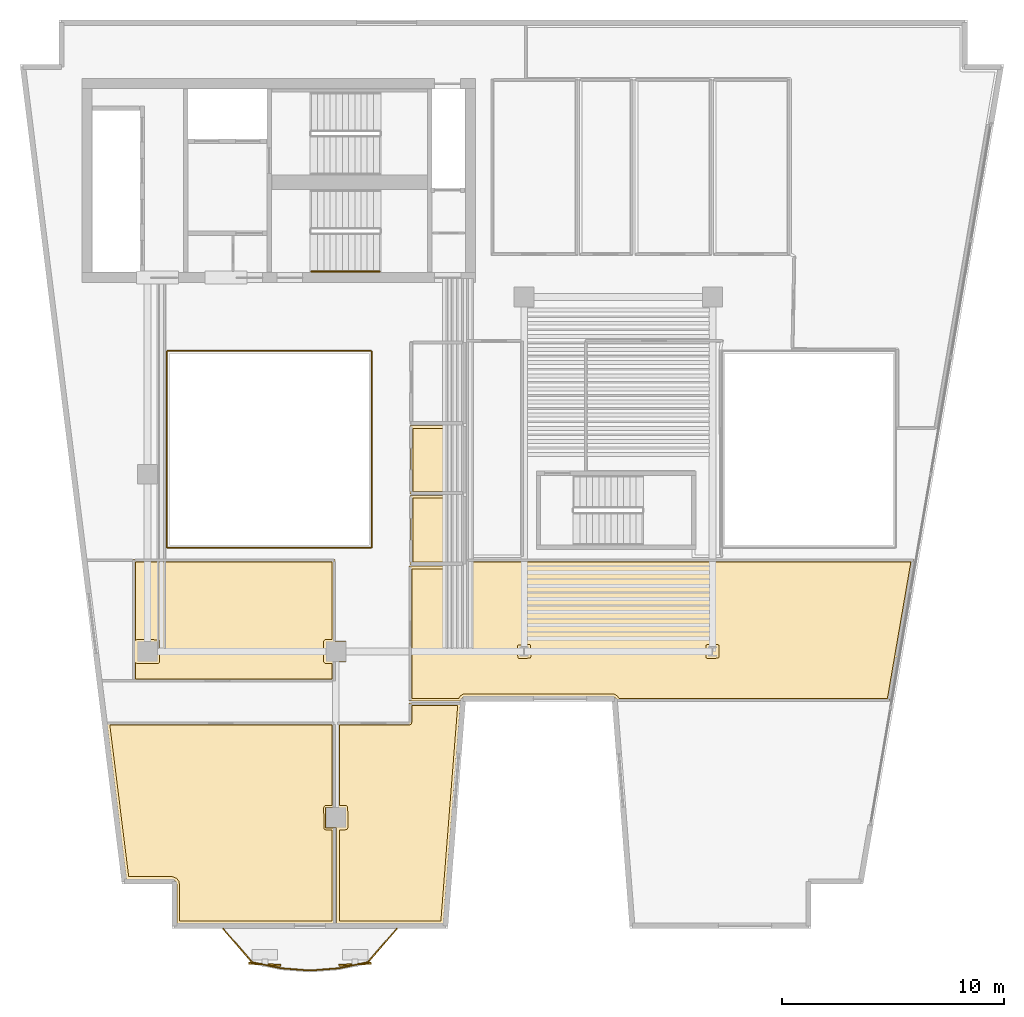
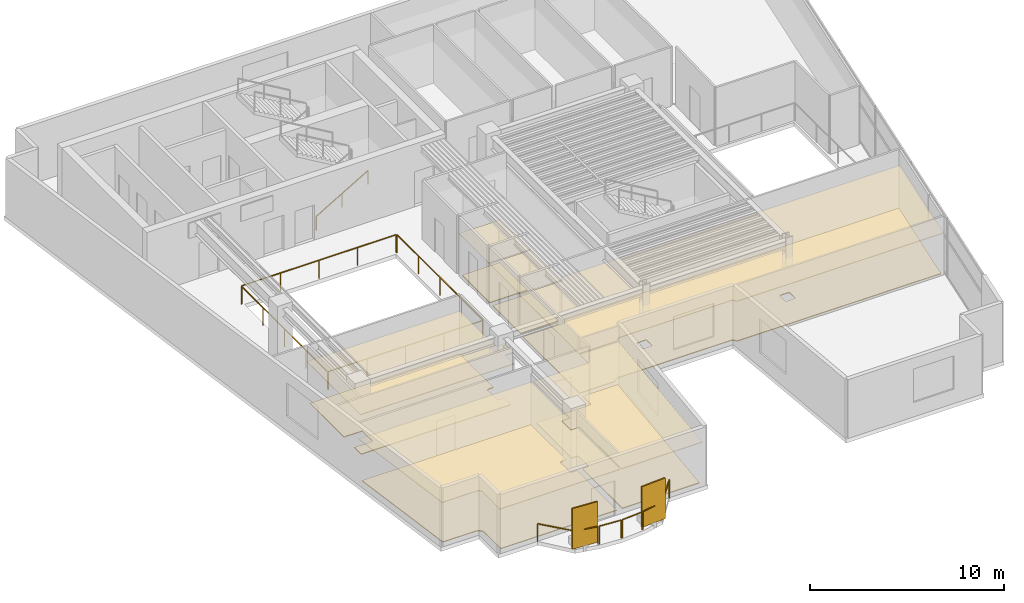
# One storey, part 7 of 9: 12 coverings, 11 railings, 2 shading devices.
"""IFC4 building model written with IfcOpenShell, lengths in metres."""

from ifc_helpers import new_model, si_unit, direction, frame, origin, origin_2d, place, context, subcontext, project, spatial, polyline, rectangle, outline, extrude, material, layer, layer_set, type_object, element, save


model = new_model("IFC4")

# Units and contexts
model_context = context("Model", 3, precision=1e-05, world=origin(), true_north=direction((0.0, 1.0)))
body_context = subcontext(model_context, "Body", "Model", "MODEL_VIEW")
ifc_project = project(units=[si_unit("LENGTHUNIT", "METRE"), si_unit("AREAUNIT", "SQUARE_METRE"), si_unit("VOLUMEUNIT", "CUBIC_METRE"), si_unit("PLANEANGLEUNIT", "RADIAN"), si_unit("MASSUNIT", "GRAM", prefix="KILO")], contexts=[model_context])

# Site, building, storey
site_placement = place(None, origin())
site = spatial("IfcSite", under=ifc_project, at=site_placement, CompositionType="ELEMENT")
building_placement = place(site_placement, origin())
building = spatial("IfcBuilding", under=site, at=building_placement, Name="Caeloran Harvest Quay", CompositionType="ELEMENT")
storey_placement = place(building_placement, frame((0.0, 0.0, 231.14990234375)))
storey = spatial("IfcBuildingStorey", under=building, at=storey_placement, Name="L55", CompositionType="ELEMENT", Elevation=231.14990234375)

# Coverings
ifc_material_1 = material(Name="Perforated Mineral-Fibre Acoustic Ceiling Tile", Category="ceiling")
ifc_layer_1 = layer(ifc_material_1, 0.0400390625, Name="Perforated Mineral-Fibre Acoustic Ceiling Tile")
ifc_layer_set_1 = layer_set([ifc_layer_1], Name="Perforated Mineral-Fibre Acoustic Ceiling Tile")
covering_type_1 = type_object("IfcCoveringType", Name="COV-CEILING-ACOUSTIC", PredefinedType="CEILING", material=ifc_layer_set_1)
covering_1_placement = place(storey_placement, frame((0.0, 0.0, 2.60009765625)))
element("IfcCovering", 1, at=covering_1_placement, inside=storey, type_object=covering_type_1, Name="L55 Female Washroom WC Acoustic Ceiling", PredefinedType="CEILING", context=body_context, shape_type="SweptSolid", body=[
    extrude(outline(polyline([(22.840087890625, 25.18994140625), (22.840087890625, 22.110107421875), (20.360107421875, 22.110107421875), (20.360107421875, 25.18994140625), (22.840087890625, 25.18994140625)])), origin(), (0.0, 0.0, 1.0), 0.0400390625),
])
covering_2_placement = place(storey_placement, frame((0.0, 0.0, 2.60009765625)))
element("IfcCovering", 2, at=covering_2_placement, inside=storey, type_object=covering_type_1, Name="L55 Accessible Unisex Washroom WC Acoustic Ceiling", PredefinedType="CEILING", context=body_context, shape_type="SweptSolid", body=[
    extrude(outline(polyline([(22.840087890625, 22.0400390625), (22.840087890625, 18.919921875), (20.360107421875, 18.919921875), (20.360107421875, 22.0400390625), (22.840087890625, 22.0400390625)])), origin(), (0.0, 0.0, 1.0), 0.0400390625),
])
covering_3_placement = place(storey_placement, frame((0.0, 0.0, 2.60009765625)))
element("IfcCovering", 3, at=covering_3_placement, inside=storey, type_object=covering_type_1, Name="Arbitration Wellness Fitness Gym Acoustic Ceiling", PredefinedType="CEILING", context=body_context, shape_type="SweptSolid", body=[
    extrude(outline(polyline([(9.797119140625, 4.603759765625), (9.72509765625, 4.682861328125), (9.62451171875, 4.718994140625), (7.54833984375, 4.719970703125), (6.666015625, 11.81005859375), (16.9599609375, 11.81005859375), (16.9599609375, 7.969970703125), (17.469970703125, 7.969970703125), (17.469970703125, 7.030029296875), (16.9599609375, 7.030029296875), (16.9599609375, 2.719970703125), (9.822998046875, 2.719970703125), (9.822998046875, 4.4990234375), (9.797119140625, 4.603759765625)])), origin(), (0.0, 0.0, 1.0), 0.0400390625),
])
covering_4_placement = place(storey_placement, frame((0.0, 0.0, 2.60009765625)))
element("IfcCovering", 4, at=covering_4_placement, inside=storey, type_object=covering_type_1, Name="Delegates Recovery Wellness Gym Acoustic Ceiling", PredefinedType="CEILING", context=body_context, shape_type="SweptSolid", body=[
    extrude(outline(polyline([(16.530029296875, 7.030029296875), (16.530029296875, 7.969970703125), (17.0400390625, 7.969970703125), (17.0400390625, 11.81005859375), (20.31005859375, 11.81005859375), (20.31005859375, 12.679931640625), (22.630859375, 12.679931640625), (21.853515625, 2.719970703125), (17.0400390625, 2.719970703125), (17.0400390625, 7.030029296875), (16.530029296875, 7.030029296875)])), origin(), (0.0, 0.0, 1.0), 0.0400390625),
])
covering_5_placement = place(storey_placement, frame((0.0, 0.0, 2.60009765625)))
element("IfcCovering", 5, at=covering_5_placement, inside=storey, type_object=covering_type_1, Name="Mediation Fireside Salon Lounge Acoustic Ceiling", PredefinedType="CEILING", context=body_context, shape_type="SweptSolid", body=[
    extrude(outline(polyline([(29.727294921875, 12.760009765625), (29.64111328125, 12.887451171875), (29.54150390625, 12.969970703125), (22.78515625, 12.969970703125), (22.685302734375, 12.887451171875), (22.59912109375, 12.760009765625), (20.31005859375, 12.760009765625), (20.31005859375, 18.85009765625), (22.8515625, 18.85009765625), (22.92919921875, 19.159912109375), (43.09326171875, 19.159912109375), (41.993408203125, 12.760009765625), (29.727294921875, 12.760009765625)])), origin(), (0.0, 0.0, 1.0), 0.0400390625),
])
covering_6_placement = place(storey_placement, frame((0.0, 0.0, 2.60009765625)))
element("IfcCovering", 6, at=covering_6_placement, inside=storey, type_object=covering_type_1, Name="Witness Quiet Salon Lounge Acoustic Ceiling", PredefinedType="CEILING", context=body_context, shape_type="SweptSolid", body=[
    extrude(outline(polyline([(17.469970703125, 14.530029296875), (16.9599609375, 14.530029296875), (16.9599609375, 13.639892578125), (7.840087890625, 13.639892578125), (7.840087890625, 19.159912109375), (16.9599609375, 19.159912109375), (16.9599609375, 15.469970703125), (17.469970703125, 15.469970703125), (17.469970703125, 14.530029296875)])), origin(), (0.0, 0.0, 1.0), 0.0400390625),
])
ifc_material_2 = material(Name="Calcium-Sulphate Raised Access Floor and Terrazzo Finish", Category="flooring")
ifc_layer_2 = layer(ifc_material_2, 0.050048828125, Name="Calcium-Sulphate Raised Access Floor and Terrazzo Finish")
ifc_layer_set_2 = layer_set([ifc_layer_2], Name="Calcium-Sulphate Raised Access Floor and Terrazzo Finish")
covering_type_2 = type_object("IfcCoveringType", Name="COV-FLOOR-RAISED", PredefinedType="FLOORING", material=ifc_layer_set_2)
covering_7_placement = place(storey_placement, origin())
element("IfcCovering", 7, at=covering_7_placement, inside=storey, type_object=covering_type_2, Name="L55 Female Washroom WC Raised Finish Flooring", PredefinedType="FLOORING", context=body_context, shape_type="SweptSolid", body=[
    extrude(outline(polyline([(22.719970703125, 25.070068359375), (22.719970703125, 22.22998046875), (20.47998046875, 22.22998046875), (20.47998046875, 25.070068359375), (22.719970703125, 25.070068359375)])), origin(), (0.0, 0.0, 1.0), 0.050048828125),
])
covering_8_placement = place(storey_placement, origin())
element("IfcCovering", 8, at=covering_8_placement, inside=storey, type_object=covering_type_2, Name="L55 Accessible Unisex Washroom WC Raised Finish Flooring", PredefinedType="FLOORING", context=body_context, shape_type="SweptSolid", body=[
    extrude(outline(polyline([(22.719970703125, 21.919921875), (22.719970703125, 19.0400390625), (20.47998046875, 19.0400390625), (20.47998046875, 21.919921875), (22.719970703125, 21.919921875)])), origin(), (0.0, 0.0, 1.0), 0.050048828125),
])
covering_9_placement = place(storey_placement, origin())
element("IfcCovering", 9, at=covering_9_placement, inside=storey, type_object=covering_type_2, Name="Arbitration Wellness Fitness Gym Raised Finish Flooring", PredefinedType="FLOORING", context=body_context, shape_type="SweptSolid", body=[
    extrude(outline(polyline([(9.91845703125, 4.62646484375), (9.815673828125, 4.76513671875), (9.63232421875, 4.838623046875), (7.654296875, 4.840087890625), (6.8017578125, 11.68994140625), (16.840087890625, 11.68994140625), (16.840087890625, 8.044921875), (16.519287109375, 8.04345703125), (16.455078125, 7.965087890625), (16.461181640625, 7.00439453125), (16.527099609375, 6.955322265625), (16.840087890625, 6.955078125), (16.840087890625, 2.840087890625), (9.943115234375, 2.840087890625), (9.943115234375, 4.5), (9.91845703125, 4.62646484375)])), origin(), (0.0, 0.0, 1.0), 0.050048828125),
])
covering_10_placement = place(storey_placement, origin())
element("IfcCovering", 10, at=covering_10_placement, inside=storey, type_object=covering_type_2, Name="Delegates Recovery Wellness Gym Raised Finish Flooring", PredefinedType="FLOORING", context=body_context, shape_type="SweptSolid", body=[
    extrude(outline(polyline([(20.34814453125, 11.693603515625), (20.402587890625, 11.727294921875), (20.4296875, 11.793212890625), (20.429931640625, 12.56005859375), (22.501220703125, 12.56005859375), (21.742431640625, 2.840087890625), (17.159912109375, 2.840087890625), (17.159912109375, 6.955078125), (17.480712890625, 6.95654296875), (17.544921875, 7.034912109375), (17.538818359375, 7.99560546875), (17.472900390625, 8.044677734375), (17.159912109375, 8.044921875), (17.159912109375, 11.68994140625), (20.34814453125, 11.693603515625)])), origin(), (0.0, 0.0, 1.0), 0.050048828125),
])
covering_11_placement = place(storey_placement, origin())
element("IfcCovering", 11, at=covering_11_placement, inside=storey, type_object=covering_type_2, Name="Mediation Fireside Salon Lounge Raised Finish Flooring", PredefinedType="FLOORING", context=body_context, shape_type="SweptSolid", body=[
    extrude(outline(polyline([(22.54296875, 12.8798828125), (20.429931640625, 12.8798828125), (20.429931640625, 18.72998046875), (22.890380859375, 18.73046875), (22.955322265625, 18.7763671875), (23.022705078125, 19.0400390625), (42.950927734375, 19.0400390625), (41.89208984375, 12.8798828125), (29.783447265625, 12.8798828125), (29.709716796875, 12.990478515625), (29.559326171875, 13.090087890625), (22.76708984375, 13.090087890625), (22.616943359375, 12.990478515625), (22.54296875, 12.8798828125)]), holes=[polyline([(33.777099609375, 15.318115234375), (33.720458984375, 15.294677734375), (33.697509765625, 15.245849609375), (33.715087890625, 14.711181640625), (33.777099609375, 14.681884765625), (34.273681640625, 14.7001953125), (34.302978515625, 14.761962890625), (34.284912109375, 15.288818359375), (34.230712890625, 15.317626953125), (33.777099609375, 15.318115234375)]), polyline([(25.730712890625, 15.317626953125), (25.226318359375, 15.2998046875), (25.197509765625, 15.245849609375), (25.215087890625, 14.711181640625), (25.277099609375, 14.681884765625), (25.773681640625, 14.7001953125), (25.802978515625, 14.761962890625), (25.784912109375, 15.288818359375), (25.730712890625, 15.317626953125)])]), origin(), (0.0, 0.0, 1.0), 0.050048828125),
])
covering_12_placement = place(storey_placement, origin())
element("IfcCovering", 12, at=covering_12_placement, inside=storey, type_object=covering_type_2, Name="Witness Quiet Salon Lounge Raised Finish Flooring", PredefinedType="FLOORING", context=body_context, shape_type="SweptSolid", body=[
    extrude(outline(polyline([(7.9599609375, 14.50732421875), (8.027099609375, 14.455322265625), (8.965087890625, 14.455078125), (9.021484375, 14.478515625), (9.044921875, 14.534912109375), (9.044921875, 15.465087890625), (9.015869140625, 15.52685546875), (8.034912109375, 15.544921875), (7.9599609375, 15.49267578125), (7.9599609375, 19.0400390625), (16.840087890625, 19.0400390625), (16.840087890625, 15.544921875), (16.519287109375, 15.54345703125), (16.455078125, 15.465087890625), (16.45654296875, 14.519287109375), (16.519287109375, 14.45654296875), (16.840087890625, 14.455078125), (16.840087890625, 13.760009765625), (7.9599609375, 13.760009765625), (7.9599609375, 14.50732421875)])), origin(), (0.0, 0.0, 1.0), 0.050048828125),
])

# Railings
ifc_material_3 = material(Name="Powder-Coated Steel Post and Laminated Glass Guardrail", Category="steel")
ifc_layer_3 = layer(ifc_material_3, 0.06005859375, Name="Powder-Coated Steel Post and Laminated Glass Guardrail")
ifc_layer_set_3 = layer_set([ifc_layer_3], Name="Powder-Coated Steel Post and Laminated Glass Guardrail")
railing_type_1 = type_object("IfcRailingType", Name="GUARD-ATRIUM-1150", PredefinedType="GUARDRAIL", material=ifc_layer_set_3)
railing_1_placement = place(storey_placement, frame((9.412109375, 19.679931640625, 0.0)))
element("IfcRailing", 13, at=railing_1_placement, inside=storey, type_object=railing_type_1, Name="L55 Skylit Atrium Void Perimeter Guardrail Seg 1", PredefinedType="GUARDRAIL", context=body_context, shape_type="SweptSolid", body=[
    extrude(rectangle(XDim=0.048095703125, YDim=0.048095703125, at=origin_2d()), frame((0.0, 0.0, 1.1259765625), z_axis=(1.0, 0.0, 0.0), x_axis=(0.0, 1.0, 0.0)), (0.0, 0.0, 1.0), 9.17578125),
    extrude(rectangle(XDim=0.0419921875, YDim=0.0419921875, at=origin_2d()), origin(), (0.0, 0.0, 1.0), 1.101806640625),
    extrude(rectangle(XDim=0.0419921875, YDim=0.0419921875, at=origin_2d()), frame((2.2939453125, 0.0, 0.0)), (0.0, 0.0, 1.0), 1.101806640625),
    extrude(rectangle(XDim=0.0419921875, YDim=0.0419921875, at=origin_2d()), frame((4.587890625, 0.0, 0.0)), (0.0, 0.0, 1.0), 1.101806640625),
    extrude(rectangle(XDim=0.0419921875, YDim=0.0419921875, at=origin_2d()), frame((6.8818359375, 0.0, 0.0)), (0.0, 0.0, 1.0), 1.101806640625),
    extrude(rectangle(XDim=0.0419921875, YDim=0.0419921875, at=origin_2d()), frame((9.17578125, 0.0, 0.0)), (0.0, 0.0, 1.0), 1.101806640625),
])
railing_2_placement = place(storey_placement, frame((18.6201171875, 19.7119140625, 0.0)))
element("IfcRailing", 14, at=railing_2_placement, inside=storey, type_object=railing_type_1, Name="L55 Skylit Atrium Void Perimeter Guardrail Seg 2", PredefinedType="GUARDRAIL", context=body_context, shape_type="SweptSolid", body=[
    extrude(rectangle(XDim=0.048095703125, YDim=0.048095703125, at=origin_2d()), frame((0.0, 0.0, 1.1259765625), z_axis=(0.0, 1.0, 0.0), x_axis=(-1.0, 0.0, 0.0)), (0.0, 0.0, 1.0), 8.826171875),
    extrude(rectangle(XDim=0.0419921875, YDim=0.0419921875, at=origin_2d()), origin(), (0.0, 0.0, 1.0), 1.101806640625),
    extrude(rectangle(XDim=0.0419921875, YDim=0.0419921875, at=origin_2d()), frame((0.0, 2.20654296875, 0.0)), (0.0, 0.0, 1.0), 1.101806640625),
    extrude(rectangle(XDim=0.0419921875, YDim=0.0419921875, at=origin_2d()), frame((0.0, 4.4130859375, 0.0)), (0.0, 0.0, 1.0), 1.101806640625),
    extrude(rectangle(XDim=0.0419921875, YDim=0.0419921875, at=origin_2d()), frame((0.0, 6.61962890625, 0.0)), (0.0, 0.0, 1.0), 1.101806640625),
    extrude(rectangle(XDim=0.0419921875, YDim=0.0419921875, at=origin_2d()), frame((0.0, 8.826171875, 0.0)), (0.0, 0.0, 1.0), 1.101806640625),
])
railing_3_placement = place(storey_placement, frame((18.587890625, 28.570068359375, 0.0)))
element("IfcRailing", 15, at=railing_3_placement, inside=storey, type_object=railing_type_1, Name="L55 Skylit Atrium Void Perimeter Guardrail Seg 3", PredefinedType="GUARDRAIL", context=body_context, shape_type="SweptSolid", body=[
    extrude(rectangle(XDim=0.048095703125, YDim=0.048095703125, at=origin_2d()), frame((0.0, 0.0, 1.1259765625), z_axis=(-1.0, 0.0, 0.0), x_axis=(0.0, -1.0, 0.0)), (0.0, 0.0, 1.0), 9.17578125),
    extrude(rectangle(XDim=0.0419921875, YDim=0.0419921875, at=origin_2d()), origin(), (0.0, 0.0, 1.0), 1.101806640625),
    extrude(rectangle(XDim=0.0419921875, YDim=0.0419921875, at=origin_2d()), frame((-2.2939453125, 0.0, 0.0)), (0.0, 0.0, 1.0), 1.101806640625),
    extrude(rectangle(XDim=0.0419921875, YDim=0.0419921875, at=origin_2d()), frame((-4.587890625, 0.0, 0.0)), (0.0, 0.0, 1.0), 1.101806640625),
    extrude(rectangle(XDim=0.0419921875, YDim=0.0419921875, at=origin_2d()), frame((-6.8818359375, 0.0, 0.0)), (0.0, 0.0, 1.0), 1.101806640625),
    extrude(rectangle(XDim=0.0419921875, YDim=0.0419921875, at=origin_2d()), frame((-9.17578125, 0.0, 0.0)), (0.0, 0.0, 1.0), 1.101806640625),
])
railing_4_placement = place(storey_placement, frame((9.3798828125, 28.5380859375, 0.0)))
element("IfcRailing", 16, at=railing_4_placement, inside=storey, type_object=railing_type_1, Name="L55 Skylit Atrium Void Perimeter Guardrail Seg 4", PredefinedType="GUARDRAIL", context=body_context, shape_type="SweptSolid", body=[
    extrude(rectangle(XDim=0.048095703125, YDim=0.048095703125, at=origin_2d()), frame((0.0, 0.0, 1.1259765625), z_axis=(0.0, -1.0, 0.0), x_axis=(1.0, 0.0, 0.0)), (0.0, 0.0, 1.0), 8.826171875),
    extrude(rectangle(XDim=0.0419921875, YDim=0.0419921875, at=origin_2d()), origin(), (0.0, 0.0, 1.0), 1.101806640625),
    extrude(rectangle(XDim=0.0419921875, YDim=0.0419921875, at=origin_2d()), frame((0.0, -2.20654296875, 0.0)), (0.0, 0.0, 1.0), 1.101806640625),
    extrude(rectangle(XDim=0.0419921875, YDim=0.0419921875, at=origin_2d()), frame((0.0, -4.4130859375, 0.0)), (0.0, 0.0, 1.0), 1.101806640625),
    extrude(rectangle(XDim=0.0419921875, YDim=0.0419921875, at=origin_2d()), frame((0.0, -6.61962890625, 0.0)), (0.0, 0.0, 1.0), 1.101806640625),
    extrude(rectangle(XDim=0.0419921875, YDim=0.0419921875, at=origin_2d()), frame((0.0, -8.826171875, 0.0)), (0.0, 0.0, 1.0), 1.101806640625),
])
ifc_material_4 = material(Name="Laminated Safety Glass and Stainless Steel 316", Category="steel")
ifc_layer_4 = layer(ifc_material_4, 0.06005859375, Name="Laminated Safety Glass and Stainless Steel 316")
ifc_layer_set_4 = layer_set([ifc_layer_4], Name="Laminated Safety Glass and Stainless Steel 316")
railing_type_2 = type_object("IfcRailingType", Name="GUARD-BALUSTRADE-1150", PredefinedType="BALUSTRADE", material=ifc_layer_set_4)
railing_5_placement = place(storey_placement, frame((19.74609375, 2.47998046875, 0.0)))
element("IfcRailing", 17, at=railing_5_placement, inside=storey, type_object=railing_type_2, Name="L55 Planted Balcony Perimeter Balustrade Guard Seg 1", PredefinedType="BALUSTRADE", context=body_context, shape_type="SweptSolid", body=[
    extrude(rectangle(XDim=0.048095703125, YDim=0.048095703125, at=origin_2d()), frame((0.0, 0.0, 1.1259765625), z_axis=(-0.655390985581, -0.755289782812, 0.0), x_axis=(0.755289782812, -0.655390985581, 0.0)), (0.0, 0.0, 1.0), 1.95751953125),
    extrude(rectangle(XDim=0.0419921875, YDim=0.0419921875, at=origin_2d()), origin(), (0.0, 0.0, 1.0), 1.101806640625),
    extrude(rectangle(XDim=0.0419921875, YDim=0.0419921875, at=origin_2d()), frame((-1.282958984375, -1.478515625, 0.0)), (0.0, 0.0, 1.0), 1.101806640625),
])
railing_6_placement = place(storey_placement, frame((18.410888671875, 0.970703125, 0.0)))
element("IfcRailing", 18, at=railing_6_placement, inside=storey, type_object=railing_type_2, Name="L55 Planted Balcony Perimeter Balustrade Guard Seg 2", PredefinedType="BALUSTRADE", context=body_context, shape_type="SweptSolid", body=[
    extrude(rectangle(XDim=0.048095703125, YDim=0.048095703125, at=origin_2d()), frame((0.0, 0.0, 1.1259765625), z_axis=(-0.978755598829, -0.205030431305, 0.0), x_axis=(0.205030431305, -0.978755598829, 0.0)), (0.0, 0.0, 1.0), 1.26806640625),
    extrude(rectangle(XDim=0.0419921875, YDim=0.0419921875, at=origin_2d()), origin(), (0.0, 0.0, 1.0), 1.101806640625),
    extrude(rectangle(XDim=0.0419921875, YDim=0.0419921875, at=origin_2d()), frame((-1.2412109375, -0.260009765625, 0.0)), (0.0, 0.0, 1.0), 1.101806640625),
])
railing_7_placement = place(storey_placement, frame((17.1064453125, 0.701904296875, 0.0)))
element("IfcRailing", 19, at=railing_7_placement, inside=storey, type_object=railing_type_2, Name="L55 Planted Balcony Perimeter Balustrade Guard Seg 3", PredefinedType="BALUSTRADE", context=body_context, shape_type="SweptSolid", body=[
    extrude(rectangle(XDim=0.048095703125, YDim=0.048095703125, at=origin_2d()), frame((0.0, 0.0, 1.1259765625), z_axis=(-0.997064869296, -0.076561389846, 0.0), x_axis=(0.076561389846, -0.997064869296, 0.0)), (0.0, 0.0, 1.0), 1.24365234375),
    extrude(rectangle(XDim=0.0419921875, YDim=0.0419921875, at=origin_2d()), origin(), (0.0, 0.0, 1.0), 1.101806640625),
    extrude(rectangle(XDim=0.0419921875, YDim=0.0419921875, at=origin_2d()), frame((-1.239990234375, -0.09521484375, 0.0)), (0.0, 0.0, 1.0), 1.101806640625),
])
railing_8_placement = place(storey_placement, frame((15.802490234375, 0.606689453125, 0.0)))
element("IfcRailing", 20, at=railing_8_placement, inside=storey, type_object=railing_type_2, Name="L55 Planted Balcony Perimeter Balustrade Guard Seg 4", PredefinedType="BALUSTRADE", context=body_context, shape_type="SweptSolid", body=[
    extrude(rectangle(XDim=0.048095703125, YDim=0.048095703125, at=origin_2d()), frame((0.0, 0.0, 1.1259765625), z_axis=(-0.997064869296, 0.076561389846, 0.0), x_axis=(-0.076561389846, -0.997064869296, 0.0)), (0.0, 0.0, 1.0), 1.24365234375),
    extrude(rectangle(XDim=0.0419921875, YDim=0.0419921875, at=origin_2d()), origin(), (0.0, 0.0, 1.0), 1.101806640625),
    extrude(rectangle(XDim=0.0419921875, YDim=0.0419921875, at=origin_2d()), frame((-1.239990234375, 0.09521484375, 0.0)), (0.0, 0.0, 1.0), 1.101806640625),
])
railing_9_placement = place(storey_placement, frame((14.49951171875, 0.710693359375, 0.0)))
element("IfcRailing", 21, at=railing_9_placement, inside=storey, type_object=railing_type_2, Name="L55 Planted Balcony Perimeter Balustrade Guard Seg 5", PredefinedType="BALUSTRADE", context=body_context, shape_type="SweptSolid", body=[
    extrude(rectangle(XDim=0.048095703125, YDim=0.048095703125, at=origin_2d()), frame((0.0, 0.0, 1.1259765625), z_axis=(-0.978763689464, 0.204991805168, 0.0), x_axis=(-0.204991805168, -0.978763689464, 0.0)), (0.0, 0.0, 1.0), 1.268310546875),
    extrude(rectangle(XDim=0.0419921875, YDim=0.0419921875, at=origin_2d()), origin(), (0.0, 0.0, 1.0), 1.101806640625),
    extrude(rectangle(XDim=0.0419921875, YDim=0.0419921875, at=origin_2d()), frame((-1.241455078125, 0.260009765625, 0.0)), (0.0, 0.0, 1.0), 1.101806640625),
])
railing_10_placement = place(storey_placement, frame((13.205810546875, 1.00146484375, 0.0)))
element("IfcRailing", 22, at=railing_10_placement, inside=storey, type_object=railing_type_2, Name="L55 Planted Balcony Perimeter Balustrade Guard Seg 6", PredefinedType="BALUSTRADE", context=body_context, shape_type="SweptSolid", body=[
    extrude(rectangle(XDim=0.048095703125, YDim=0.048095703125, at=origin_2d()), frame((0.0, 0.0, 1.1259765625), z_axis=(-0.655319830124, 0.75535152098, 0.0), x_axis=(-0.75535152098, -0.655319830124, 0.0)), (0.0, 0.0, 1.0), 1.957275390625),
    extrude(rectangle(XDim=0.0419921875, YDim=0.0419921875, at=origin_2d()), origin(), (0.0, 0.0, 1.0), 1.101806640625),
    extrude(rectangle(XDim=0.0419921875, YDim=0.0419921875, at=origin_2d()), frame((-1.28271484375, 1.478515625, 0.0)), (0.0, 0.0, 1.0), 1.101806640625),
])

# Shading devices
ifc_material_5 = material(Name="3003-H14 Perforated Powder-Coated Aluminium", Category="aluminium")
shading_device_type = type_object("IfcShadingDeviceType", Name="SHADE-SCREEN-FOLDED", PredefinedType="USERDEFINED", material=ifc_material_5)
for number, where, z_axis, x_axis, name in (
    (23, (17.868408203125, 0.883544921875, 0.0751953125), (0.0, 0.0, 1.0), (0.997801468292, 0.0662739004, 0.0), "L55 Folded Facade Breathing Screen 1"),
    (24, (13.800537109375, 0.883544921875, 0.0751953125), (0.0, 0.0, 1.0), (0.997801468292, -0.0662739004, 0.0), "L55 Folded Facade Breathing Screen 2"),
):
    element("IfcShadingDevice", number, at=place(storey_placement, frame(where, z_axis=z_axis, x_axis=x_axis)), inside=storey, type_object=shading_device_type, Name=name, ObjectType="SCREEN", PredefinedType="USERDEFINED", context=body_context, shape_type="SweptSolid", body=[
        extrude(rectangle(XDim=1.449951171875, YDim=0.080078125, at=origin_2d()), origin(), (0.0, 0.0, 1.0), 2.550048828125),
    ])

# Railing
ifc_material_6 = material(Name="Brushed Stainless Steel Grade 304", Category="steel")
ifc_layer_5 = layer(ifc_material_6, 0.050048828125, Name="Brushed Stainless Steel Grade 304")
ifc_layer_set_5 = layer_set([ifc_layer_5], Name="Brushed Stainless Steel Grade 304")
railing_type_3 = type_object("IfcRailingType", Name="STAIR-HANDRAIL-900", PredefinedType="HANDRAIL", material=ifc_layer_set_5)
railing_11_placement = place(storey_placement, frame((15.89990234375, 32.14990234375, 0.164794921875)))
element("IfcRailing", 25, at=railing_11_placement, inside=storey, type_object=railing_type_3, Name="L55 ST-C2 stair handrail 1", PredefinedType="HANDRAIL", context=body_context, shape_type="SweptSolid", body=[
    extrude(rectangle(XDim=0.048095703125, YDim=0.048095703125, at=origin_2d()), frame((0.0, 0.0, 0.8759765625), z_axis=(0.862118610829, 0.0, 0.506706523406), x_axis=(0.0, 1.0, 0.0)), (0.0, 0.0, 1.0), 3.57275390625),
    extrude(rectangle(XDim=0.0419921875, YDim=0.0419921875, at=origin_2d()), origin(), (0.0, 0.0, 1.0), 0.851806640625),
    extrude(rectangle(XDim=0.0419921875, YDim=0.0419921875, at=origin_2d()), frame((1.5400390625, 0.0, 0.9052734375)), (0.0, 0.0, 1.0), 0.851806640625),
    extrude(rectangle(XDim=0.0419921875, YDim=0.0419921875, at=origin_2d()), frame((3.080078125, 0.0, 1.810302734375)), (0.0, 0.0, 1.0), 0.851806640625),
])

save(model, "model.ifc")
